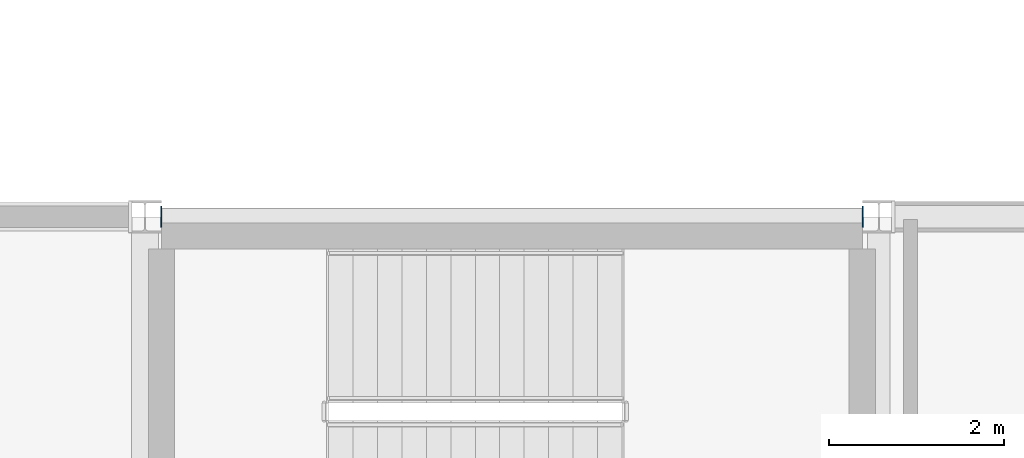
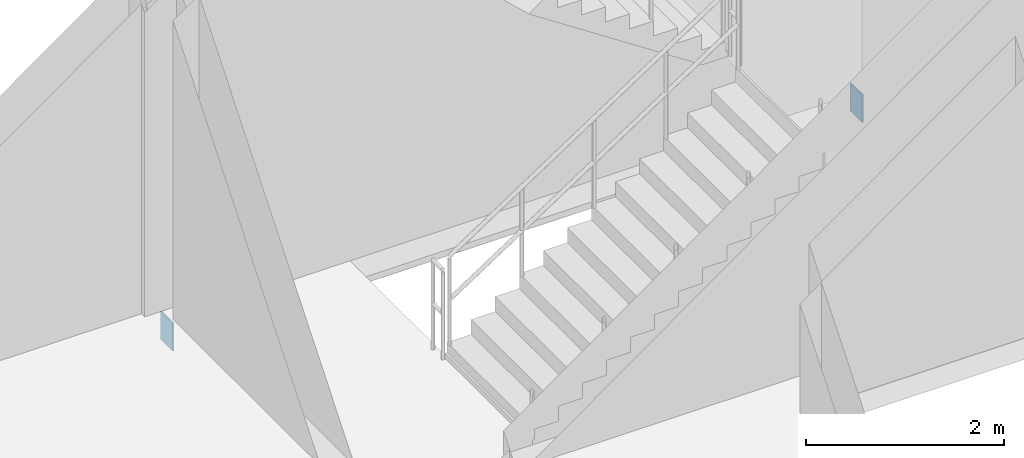
# One storey, part 24 of 45: 2 plates.
"""IFC4 building model written with IfcOpenShell, lengths in metres."""

from ifc_helpers import new_model, si_unit, direction, frame, origin, origin_2d, place, context, subcontext, project, spatial, rectangle, extrude, material, layer, layer_set, type_object, element, save


model = new_model("IFC4")

# Units and contexts
model_context = context("Model", 3, precision=1e-05, world=origin(), true_north=direction((0.0, 1.0)))
body_context = subcontext(model_context, "Body", "Model", "MODEL_VIEW")
ifc_project = project(units=[si_unit("LENGTHUNIT", "METRE"), si_unit("AREAUNIT", "SQUARE_METRE"), si_unit("VOLUMEUNIT", "CUBIC_METRE"), si_unit("PLANEANGLEUNIT", "RADIAN"), si_unit("MASSUNIT", "GRAM", prefix="KILO")], contexts=[model_context])

# Site, building, storey
site_placement = place(None, origin())
site = spatial("IfcSite", under=ifc_project, at=site_placement, CompositionType="ELEMENT")
building_placement = place(site_placement, origin())
building = spatial("IfcBuilding", under=site, at=building_placement, Name="Calvrana Isthmian Art Gallery", CompositionType="ELEMENT")
storey_placement = place(building_placement, frame((0.0, 0.0, 19.800048828125)))
storey = spatial("IfcBuildingStorey", under=building, at=storey_placement, Name="L04", CompositionType="ELEMENT", Elevation=19.800048828125)

# Plates
ifc_material = material(Name="Steel ASTM A572 Gr 50", Category="steel")
ifc_layer = layer(ifc_material, 0.01611328125, Name="Steel ASTM A572 Gr 50")
ifc_layer_set = layer_set([ifc_layer], Name="Steel ASTM A572 Gr 50")
plate_type = type_object("IfcPlateType", Name="PL-CAP-16", PredefinedType="SHEET", material=ifc_layer_set)
for number, where, z_axis, x_axis, name in (
    (1, (30.1865234375, 46.800048828125, -0.58984375), (0.0, 0.0, 1.0), (1.0, 0.0, 0.0), "Hollow section end cap plate 489"),
    (2, (38.214599609375, 46.800048828125, -0.58984375), (0.0, 0.0, 1.0), (1.0, 0.0, 0.0), "Hollow section end cap plate 490"),
):
    element("IfcPlate", number, at=place(storey_placement, frame(where, z_axis=z_axis, x_axis=x_axis)), inside=storey, type_object=plate_type, Name=name, PredefinedType="SHEET", context=body_context, shape_type="SweptSolid", body=[
        extrude(rectangle(XDim=0.01611328125, YDim=0.2431640625, at=origin_2d()), origin(), (0.0, 0.0, 1.0), 0.3447265625),
    ])

save(model, "model.ifc")
